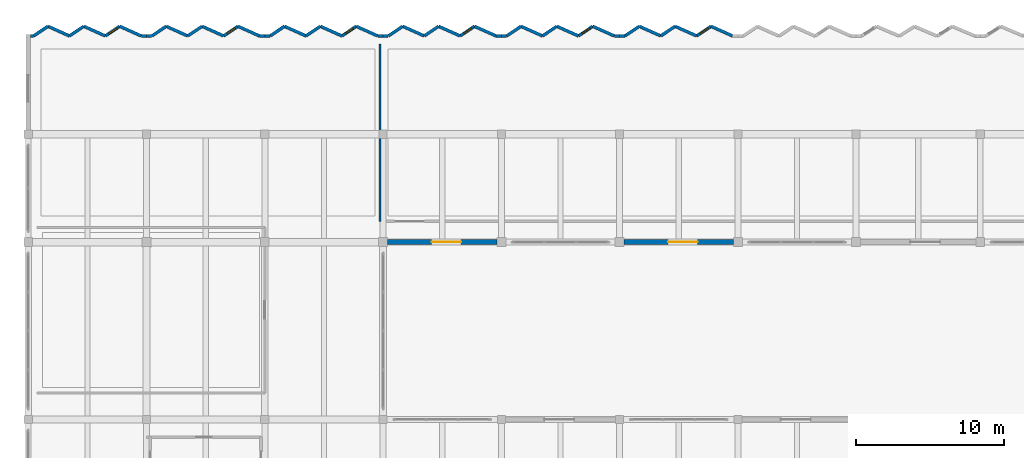
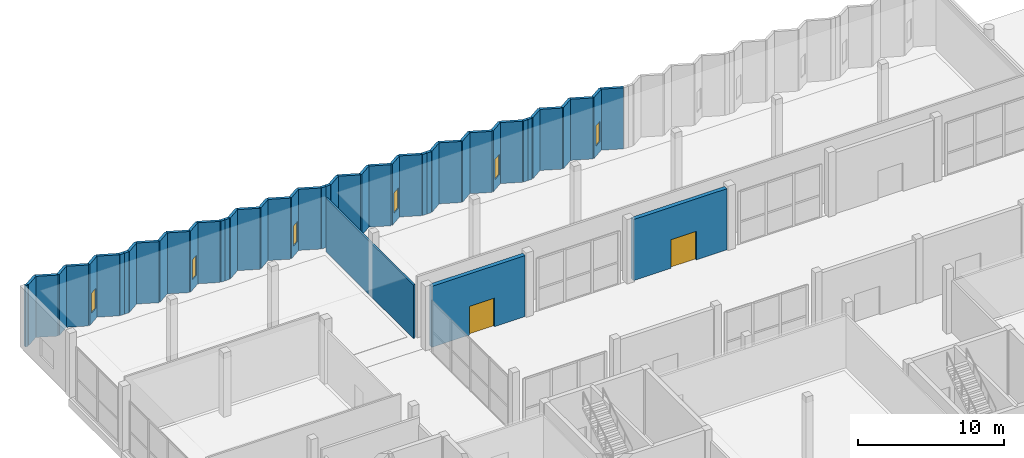
# One storey, part 27 of 41: 50 walls, 6 windows, 2 doors, 8 openings.
"""IFC4 building model written with IfcOpenShell, lengths in metres."""

import ifcopenshell
import ifcopenshell.guid

model = None  # the IFC model being written
_history = None  # IfcOwnerHistory: only IFC2X3 demands one
_inside = {}  # id of a spatial element -> (the spatial element, [elements in it])
_under = {}  # id of a project, library or spatial element -> (it, [spatial elements below it])
_declared = {}  # id of a project -> (the project, [libraries it declares])
_typed = {}  # id of a type object -> (the type object, [elements of that type])
_made_of = {}  # id of a material, layer set ... -> (it, [elements and type objects made of it])


def new_model(schema):
    """Start an empty IFC model of exactly this schema.

    Asked for "IFC4X3", IfcOpenShell would pick the latest addendum, in which some entities
    have other attributes; the version numbers below select the first issue.
    IFC2X3 requires an IfcOwnerHistory on every rooted entity: one is made here for all.
    """
    global model, _history
    if schema == "IFC4X3":
        model = ifcopenshell.file(schema_version=(4, 3, 0, 0))
    else:
        model = ifcopenshell.file(schema=schema)
    _inside.clear()
    _under.clear()
    _declared.clear()
    _typed.clear()
    _made_of.clear()
    _history = None
    if model.schema == "IFC2X3":
        org = make("IfcOrganization", Name="unknown")
        user = make(
            "IfcPersonAndOrganization",
            ThePerson=make("IfcPerson", FamilyName="unknown"),
            TheOrganization=org,
        )
        app = make(
            "IfcApplication",
            ApplicationDeveloper=org,
            Version="unknown",
            ApplicationFullName="unknown",
            ApplicationIdentifier="unknown",
        )
        _history = make(
            "IfcOwnerHistory",
            OwningUser=user,
            OwningApplication=app,
            ChangeAction="ADDED",
            CreationDate=0,
        )
    return model


def make(cls, **values):
    """One entity of the class cls with the attributes given. An attribute that is None is left unset."""
    return model.create_entity(
        cls, **{name: value for name, value in values.items() if value is not None}
    )


def rooted(cls, **values):
    """An entity with a GlobalId (a new one), such as an element, a storey or a relation."""
    return make(cls, GlobalId=ifcopenshell.guid.new(), OwnerHistory=_history, **values)


def si_unit(unit_type, name, prefix=None):
    """IfcSIUnit, for example si_unit("LENGTHUNIT", "METRE", prefix="MILLI")."""
    return make("IfcSIUnit", UnitType=unit_type, Prefix=prefix, Name=name)


def assignment(units):
    """IfcUnitAssignment: the units of a project."""
    return None if units is None else make("IfcUnitAssignment", Units=units)


def point(xyz):
    """IfcCartesianPoint."""
    return None if xyz is None else make("IfcCartesianPoint", Coordinates=xyz)


def direction(xyz):
    """IfcDirection."""
    return None if xyz is None else make("IfcDirection", DirectionRatios=xyz)


def frame(location, z_axis=None, x_axis=None):
    """IfcAxis2Placement3D, a coordinate frame: its origin and axes. An axis left out is left unset."""
    return make(
        "IfcAxis2Placement3D",
        Location=point(location),
        Axis=direction(z_axis),
        RefDirection=direction(x_axis),
    )


def frame_2d(location, x_axis=None):
    """IfcAxis2Placement2D, a coordinate frame in the plane: its origin and x axis."""
    return make(
        "IfcAxis2Placement2D", Location=point(location), RefDirection=direction(x_axis)
    )


def origin():
    """The frame at (0, 0, 0) with its axes left unset."""
    return frame((0.0, 0.0, 0.0))


def place(relative_to, where):
    """IfcLocalPlacement: puts the frame where relative to a parent placement (None: the world)."""
    return make(
        "IfcLocalPlacement", PlacementRelTo=relative_to, RelativePlacement=where
    )


def context(
    kind, dimensions, precision=None, world=None, true_north=None, identifier=None
):
    """IfcGeometricRepresentationContext, for example the 3D "Model" context."""
    return make(
        "IfcGeometricRepresentationContext",
        ContextIdentifier=identifier,
        ContextType=kind,
        CoordinateSpaceDimension=dimensions,
        Precision=precision,
        WorldCoordinateSystem=world,
        TrueNorth=true_north,
    )


def subcontext(parent, identifier, kind, view, scale=None):
    """IfcGeometricRepresentationSubContext, for example "Body" below "Model"."""
    return make(
        "IfcGeometricRepresentationSubContext",
        ContextIdentifier=identifier,
        ContextType=kind,
        ParentContext=parent,
        TargetScale=scale,
        TargetView=view,
    )


def project(units=None, contexts=None):
    """IfcProject with its units and contexts."""
    return rooted(
        "IfcProject",
        Name="project",
        RepresentationContexts=contexts,
        UnitsInContext=assignment(units),
    )


def spatial(cls, under=None, at=None, **own):
    """A site, building, storey or space (cls), placed at a placement, below another one or the project."""
    s = rooted(cls, ObjectPlacement=at, **own)
    if under is not None:
        _under.setdefault(under.id(), (under, []))[1].append(s)
    return s


def profile(cls, at=None, kind="AREA", **sizes):
    """A parametric profile (cls). Its sizes go by their IFC names, for example OverallWidth=200.0."""
    return make(cls, ProfileType=kind, Position=at, **sizes)


def rectangle(**sizes):
    """IfcRectangleProfileDef."""
    return profile("IfcRectangleProfileDef", **sizes)


def extrude(swept, where, along, depth):
    """IfcExtrudedAreaSolid: the profile swept, set in the frame where, extruded along a direction by depth."""
    return make(
        "IfcExtrudedAreaSolid",
        SweptArea=swept,
        Position=where,
        ExtrudedDirection=direction(along),
        Depth=depth,
    )


def shape(context_of_items, identifier, shape_type, items):
    """IfcShapeRepresentation: the items that make up one representation, for example the "Body"."""
    return make(
        "IfcShapeRepresentation",
        ContextOfItems=context_of_items,
        RepresentationIdentifier=identifier,
        RepresentationType=shape_type,
        Items=items,
    )


def material(Name=None, Category=None):
    """IfcMaterial."""
    return make("IfcMaterial", Name=Name, Category=Category)


def layer(
    of_material, thickness, ventilated=None, Name=None, Category=None, Priority=None
):
    """IfcMaterialLayer: one layer of a wall or slab, of a material (None: an air gap)."""
    return make(
        "IfcMaterialLayer",
        Material=of_material,
        LayerThickness=thickness,
        IsVentilated=ventilated,
        Name=Name,
        Category=Category,
        Priority=Priority,
    )


def layer_set(layers, Name=None):
    """IfcMaterialLayerSet."""
    return make("IfcMaterialLayerSet", MaterialLayers=layers, LayerSetName=Name)


def made_of(thing, what):
    """Note that an element or type object is made of a material, layer set ...; save() writes the relation."""
    if what is not None:
        _made_of.setdefault(what.id(), (what, []))[1].append(thing)
    return thing


def type_object(cls, material=None, **own):
    """A type object (cls), such as IfcWallType, which elements share."""
    return made_of(rooted(cls, **own), material)


def element(
    cls,
    number,
    at=None,
    inside=None,
    cuts=None,
    type_object=None,
    material=None,
    context=None,
    identifier="Body",
    shape_type=None,
    held_by="IfcProductDefinitionShape",
    body=None,
    shapes=None,
    **own,
):
    """One element of the class cls, such as IfcWall. Its Tag is "e" and its number.

    at: its placement. inside: the storey or other place that contains it. cuts: it is an
    opening in that element (IfcRelVoidsElement). A single representation is given by context,
    identifier, shape_type and body (its items); several are given by shapes. held_by: the class
    of the entity that holds the representations. save() writes the other relations.
    """
    e = rooted(cls, Tag="e%d" % number, ObjectPlacement=at, **own)
    if body is not None:
        shapes = [shape(context, identifier, shape_type, body)]
    if shapes is not None:
        e.Representation = make(held_by, Representations=shapes)
    if inside is not None:
        _inside.setdefault(inside.id(), (inside, []))[1].append(e)
    if cuts is not None:
        rooted(
            "IfcRelVoidsElement", RelatingBuildingElement=cuts, RelatedOpeningElement=e
        )
    if type_object is not None:
        _typed.setdefault(type_object.id(), (type_object, []))[1].append(e)
    return made_of(e, material)


def fill(opening, filler):
    """IfcRelFillsElement: the door or window that sits in an opening."""
    return rooted(
        "IfcRelFillsElement",
        RelatingOpeningElement=opening,
        RelatedBuildingElement=filler,
    )


def aggregate(whole, parts):
    """IfcRelAggregates: a whole, such as a stair, and the parts it consists of."""
    return rooted("IfcRelAggregates", RelatingObject=whole, RelatedObjects=parts)


def save(model, path):
    """Write the relations noted so far, then the file.

    IfcRelAggregates (storeys below a building ...), IfcRelContainedInSpatialStructure (elements
    in a storey), IfcRelDefinesByType, IfcRelAssociatesMaterial and IfcRelDeclares: one each for
    every whole, place, type object, material and project.
    """
    for whole, parts in _under.values():
        aggregate(whole, parts)
    for where, things in _inside.values():
        rooted(
            "IfcRelContainedInSpatialStructure",
            RelatedElements=things,
            RelatingStructure=where,
        )
    for kind, things in _typed.values():
        rooted("IfcRelDefinesByType", RelatedObjects=things, RelatingType=kind)
    for what, things in _made_of.values():
        rooted("IfcRelAssociatesMaterial", RelatedObjects=things, RelatingMaterial=what)
    for by, libraries in _declared.values():
        rooted("IfcRelDeclares", RelatingContext=by, RelatedDefinitions=libraries)
    model.write(path)


model = new_model("IFC4")

# Units and contexts
model_context = context("Model", 3, precision=1e-05, world=origin(), true_north=direction((0.0, 1.0)))
body_context = subcontext(model_context, "Body", "Model", "MODEL_VIEW")
ifc_project = project(units=[si_unit("LENGTHUNIT", "METRE"), si_unit("AREAUNIT", "SQUARE_METRE"), si_unit("VOLUMEUNIT", "CUBIC_METRE"), si_unit("PLANEANGLEUNIT", "RADIAN"), si_unit("MASSUNIT", "GRAM", prefix="KILO")], contexts=[model_context])

# Site, building, storey
site_placement = place(None, origin())
site = spatial("IfcSite", under=ifc_project, at=site_placement, CompositionType="ELEMENT")
building_placement = place(site_placement, origin())
building = spatial("IfcBuilding", under=site, at=building_placement, Name="Vharandega Faculty of Natural Sciences", CompositionType="ELEMENT")
storey_placement = place(building_placement, origin())
storey = spatial("IfcBuildingStorey", under=building, at=storey_placement, Name="L00", CompositionType="ELEMENT", Elevation=0.0)

# Walls
ifc_material_1 = material(Name="Precast concrete C40/50", Category="concrete")
ifc_layer_1 = layer(ifc_material_1, 0.2099609375, Name="Precast concrete C40/50")
ifc_layer_set_1 = layer_set([ifc_layer_1], Name="Precast concrete C40/50")
wall_type_1 = type_object("IfcWallType", Name="Commons Sawtooth Street Wall 210", PredefinedType="SOLIDWALL", material=ifc_layer_set_1)
wall_1_placement = place(storey_placement, frame((0.155029296875, 110.949951171875, 0.0), z_axis=(0.0, 0.0, 1.0), x_axis=(1.0, 0.0, 0.0)))
element("IfcWall", 1, at=wall_1_placement, inside=storey, type_object=wall_type_1, Name="Exterior Wall EW-V2SHL-L00-1L", PredefinedType="SOLIDWALL", context=body_context, shape_type="SweptSolid", body=[
    extrude(rectangle(XDim=0.195068359375, YDim=0.2099609375, at=frame_2d((0.09765625, 0.0))), origin(), (0.0, 0.0, 1.0), 5.1201171875),
])
for number, where, z_axis, x_axis, name in (
    (2, (7.64990234375, 110.949951171875, 0.0), (0.0, 0.0, 1.0), (1.0, 0.0, 0.0), "Exterior Wall EW-V2SHL-L00-2R"),
    (3, (8.0, 110.949951171875, 0.0), (0.0, 0.0, 1.0), (1.0, 0.0, 0.0), "Exterior Wall EW-V2SHL-L00-2L"),
    (4, (15.64990234375, 110.949951171875, 0.0), (0.0, 0.0, 1.0), (1.0, 0.0, 0.0), "Exterior Wall EW-V2SHL-L00-3R"),
    (5, (16.0, 110.949951171875, 0.0), (0.0, 0.0, 1.0), (1.0, 0.0, 0.0), "Exterior Wall EW-V2SHL-L00-3L"),
    (6, (23.64990234375, 110.949951171875, 0.0), (0.0, 0.0, 1.0), (1.0, 0.0, 0.0), "Exterior Wall EW-V2SHL-L00-4R"),
    (7, (24.0, 110.949951171875, 0.0), (0.0, 0.0, 1.0), (1.0, 0.0, 0.0), "Exterior Wall EW-V2SHL-L00-4L"),
    (8, (31.64990234375, 110.949951171875, 0.0), (0.0, 0.0, 1.0), (1.0, 0.0, 0.0), "Exterior Wall EW-V2SHL-L00-5R"),
    (9, (32.0, 110.949951171875, 0.0), (0.0, 0.0, 1.0), (1.0, 0.0, 0.0), "Exterior Wall EW-V2SHL-L00-5L"),
    (10, (39.64990234375, 110.949951171875, 0.0), (0.0, 0.0, 1.0), (1.0, 0.0, 0.0), "Exterior Wall EW-V2SHL-L00-6R"),
    (11, (40.0, 110.949951171875, 0.0), (0.0, 0.0, 1.0), (1.0, 0.0, 0.0), "Exterior Wall EW-V2SHL-L00-6L"),
):
    element("IfcWall", number, at=place(storey_placement, frame(where, z_axis=z_axis, x_axis=x_axis)), inside=storey, type_object=wall_type_1, Name=name, PredefinedType="SOLIDWALL", context=body_context, shape_type="SweptSolid", body=[
        extrude(rectangle(XDim=0.35009765625, YDim=0.2099609375, at=frame_2d((0.175048828125, 0.0))), origin(), (0.0, 0.0, 1.0), 5.1201171875),
    ])
wall_2_placement = place(storey_placement, frame((0.360107421875, 110.949951171875, 0.0), z_axis=(0.0, 0.0, 1.0), x_axis=(0.830858868059, 0.556483190553, 0.0)))
element("IfcWall", 12, at=wall_2_placement, inside=storey, type_object=wall_type_1, Name="Exterior Wall EW-V2SAW-L00-01G", PredefinedType="SOLIDWALL", context=body_context, shape_type="SweptSolid", body=[
    extrude(rectangle(XDim=1.168212890625, YDim=0.2099609375, at=frame_2d((0.583984375, 0.0))), origin(), (0.0, 0.0, 1.0), 5.1201171875),
])
wall_3_placement = place(storey_placement, frame((1.330810546875, 111.60009765625, 0.0), z_axis=(0.0, 0.0, 1.0), x_axis=(0.913083928543, -0.407771675618, 0.0)))
element("IfcWall", 13, at=wall_3_placement, inside=storey, type_object=wall_type_1, Name="Exterior Wall EW-V2SAW-L00-01S", PredefinedType="SOLIDWALL", context=body_context, shape_type="SweptSolid", body=[
    extrude(rectangle(XDim=1.594482421875, YDim=0.2099609375, at=frame_2d((0.79736328125, 0.0))), origin(), (0.0, 0.0, 1.0), 5.1201171875),
])
wall_4_placement = place(storey_placement, frame((2.78662109375, 110.949951171875, 0.0), z_axis=(0.0, 0.0, 1.0), x_axis=(0.830858868059, 0.556483190553, 0.0)))
element("IfcWall", 14, at=wall_4_placement, inside=storey, type_object=wall_type_1, Name="Exterior Wall EW-V2SAW-L00-02G", PredefinedType="SOLIDWALL", context=body_context, shape_type="SweptSolid", body=[
    extrude(rectangle(XDim=1.168212890625, YDim=0.2099609375, at=frame_2d((0.583984375, 0.0))), origin(), (0.0, 0.0, 1.0), 5.1201171875),
])
wall_5_placement = place(storey_placement, frame((3.75732421875, 111.60009765625, 0.0), z_axis=(0.0, 0.0, 1.0), x_axis=(0.913109384471, -0.407714669826, 0.0)))
element("IfcWall", 15, at=wall_5_placement, inside=storey, type_object=wall_type_1, Name="Exterior Wall EW-V2SAW-L00-02S", PredefinedType="SOLIDWALL", context=body_context, shape_type="SweptSolid", body=[
    extrude(rectangle(XDim=1.5947265625, YDim=0.2099609375, at=frame_2d((0.79736328125, 0.0))), origin(), (0.0, 0.0, 1.0), 5.1201171875),
])

# Wall, opening, window
wall_6_placement = place(storey_placement, frame((5.21337890625, 110.949951171875, 0.0), z_axis=(0.0, 0.0, 1.0), x_axis=(0.830858868059, 0.556483190553, 0.0)))
wall_6 = element("IfcWall", 16, at=wall_6_placement, inside=storey, type_object=wall_type_1, Name="Exterior Wall EW-V2SAW-L00-03G", PredefinedType="SOLIDWALL", context=body_context, shape_type="SweptSolid", body=[
    extrude(rectangle(XDim=1.168212890625, YDim=0.2099609375, at=frame_2d((0.583984375, 0.0))), origin(), (0.0, 0.0, 1.0), 5.1201171875),
])
opening_1_placement = place(wall_6_placement, frame((0.280029296875, 0.0, 0.85009765625)))
opening_1 = element("IfcOpeningElement", 17, at=opening_1_placement, cuts=wall_6, Name="Opening WN-07", PredefinedType="OPENING", context=body_context, shape_type="SweptSolid", body=[
    extrude(rectangle(XDim=0.64990234375, YDim=1.699951171875, at=frame_2d((0.324951171875, 0.85009765625))), frame((0.0, 0.114990234375, 0.0), z_axis=(0.0, -1.0, 0.0), x_axis=(1.0, 0.0, 0.0)), (0.0, 0.0, 1.0), 0.22998046875),
])
ifc_material_2 = material(Name="Double-glazed solar-control glass in thermally broken aluminium frame", Category="aluminium")
window_type = type_object("IfcWindowType", Name="WIN-COM-065x170", PartitioningType="SINGLE_PANEL", PredefinedType="WINDOW", material=ifc_material_2)
window_1_placement = place(opening_1_placement, origin())
window_1 = element("IfcWindow", 18, at=window_1_placement, inside=storey, type_object=window_type, Name="Window WIN-L00-0147", OverallHeight=1.699951171875, OverallWidth=0.64990234375, PartitioningType="SINGLE_PANEL", PredefinedType="WINDOW", context=body_context, shape_type="SweptSolid", body=[
    extrude(rectangle(XDim=0.64990234375, YDim=1.699951171875, at=frame_2d((0.324951171875, 0.85009765625))), frame((0.0, 0.030029296875, 0.0), z_axis=(0.0, -1.0, 0.0), x_axis=(1.0, 0.0, 0.0)), (0.0, 0.0, 1.0), 0.06005859375),
])
fill(opening_1, window_1)

# Walls
wall_7_placement = place(storey_placement, frame((6.18408203125, 111.60009765625, 0.0), z_axis=(0.0, 0.0, 1.0), x_axis=(0.913083928543, -0.407771675618, 0.0)))
element("IfcWall", 19, at=wall_7_placement, inside=storey, type_object=wall_type_1, Name="Exterior Wall EW-V2SAW-L00-03S", PredefinedType="SOLIDWALL", context=body_context, shape_type="SweptSolid", body=[
    extrude(rectangle(XDim=1.594482421875, YDim=0.2099609375, at=frame_2d((0.79736328125, 0.0))), origin(), (0.0, 0.0, 1.0), 5.1201171875),
])
wall_8_placement = place(storey_placement, frame((8.360107421875, 110.949951171875, 0.0), z_axis=(0.0, 0.0, 1.0), x_axis=(0.830858868059, 0.556483190553, 0.0)))
element("IfcWall", 20, at=wall_8_placement, inside=storey, type_object=wall_type_1, Name="Exterior Wall EW-V2SAW-L00-04G", PredefinedType="SOLIDWALL", context=body_context, shape_type="SweptSolid", body=[
    extrude(rectangle(XDim=1.168212890625, YDim=0.2099609375, at=frame_2d((0.583984375, 0.0))), origin(), (0.0, 0.0, 1.0), 5.1201171875),
])
wall_9_placement = place(storey_placement, frame((9.330810546875, 111.60009765625, 0.0), z_axis=(0.0, 0.0, 1.0), x_axis=(0.913083928543, -0.407771675618, 0.0)))
element("IfcWall", 21, at=wall_9_placement, inside=storey, type_object=wall_type_1, Name="Exterior Wall EW-V2SAW-L00-04S", PredefinedType="SOLIDWALL", context=body_context, shape_type="SweptSolid", body=[
    extrude(rectangle(XDim=1.594482421875, YDim=0.2099609375, at=frame_2d((0.79736328125, 0.0))), origin(), (0.0, 0.0, 1.0), 5.1201171875),
])
wall_10_placement = place(storey_placement, frame((10.78662109375, 110.949951171875, 0.0), z_axis=(0.0, 0.0, 1.0), x_axis=(0.830858868059, 0.556483190553, 0.0)))
element("IfcWall", 22, at=wall_10_placement, inside=storey, type_object=wall_type_1, Name="Exterior Wall EW-V2SAW-L00-05G", PredefinedType="SOLIDWALL", context=body_context, shape_type="SweptSolid", body=[
    extrude(rectangle(XDim=1.168212890625, YDim=0.2099609375, at=frame_2d((0.583984375, 0.0))), origin(), (0.0, 0.0, 1.0), 5.1201171875),
])
wall_11_placement = place(storey_placement, frame((11.75732421875, 111.60009765625, 0.0), z_axis=(0.0, 0.0, 1.0), x_axis=(0.913109384471, -0.407714669826, 0.0)))
element("IfcWall", 23, at=wall_11_placement, inside=storey, type_object=wall_type_1, Name="Exterior Wall EW-V2SAW-L00-05S", PredefinedType="SOLIDWALL", context=body_context, shape_type="SweptSolid", body=[
    extrude(rectangle(XDim=1.5947265625, YDim=0.2099609375, at=frame_2d((0.79736328125, 0.0))), origin(), (0.0, 0.0, 1.0), 5.1201171875),
])

# Wall, opening, window
wall_12_placement = place(storey_placement, frame((13.21337890625, 110.949951171875, 0.0), z_axis=(0.0, 0.0, 1.0), x_axis=(0.830858868059, 0.556483190553, 0.0)))
wall_12 = element("IfcWall", 24, at=wall_12_placement, inside=storey, type_object=wall_type_1, Name="Exterior Wall EW-V2SAW-L00-06G", PredefinedType="SOLIDWALL", context=body_context, shape_type="SweptSolid", body=[
    extrude(rectangle(XDim=1.168212890625, YDim=0.2099609375, at=frame_2d((0.583984375, 0.0))), origin(), (0.0, 0.0, 1.0), 5.1201171875),
])
opening_2_placement = place(wall_12_placement, frame((0.280029296875, 0.0, 0.85009765625)))
opening_2 = element("IfcOpeningElement", 25, at=opening_2_placement, cuts=wall_12, Name="Opening WN-07", PredefinedType="OPENING", context=body_context, shape_type="SweptSolid", body=[
    extrude(rectangle(XDim=0.64990234375, YDim=1.699951171875, at=frame_2d((0.324951171875, 0.85009765625))), frame((0.0, 0.114990234375, 0.0), z_axis=(0.0, -1.0, 0.0), x_axis=(1.0, 0.0, 0.0)), (0.0, 0.0, 1.0), 0.22998046875),
])
window_2_placement = place(opening_2_placement, origin())
window_2 = element("IfcWindow", 26, at=window_2_placement, inside=storey, type_object=window_type, Name="Window WIN-L00-0148", OverallHeight=1.699951171875, OverallWidth=0.64990234375, PartitioningType="SINGLE_PANEL", PredefinedType="WINDOW", context=body_context, shape_type="SweptSolid", body=[
    extrude(rectangle(XDim=0.64990234375, YDim=1.699951171875, at=frame_2d((0.324951171875, 0.85009765625))), frame((0.0, 0.030029296875, 0.0), z_axis=(0.0, -1.0, 0.0), x_axis=(1.0, 0.0, 0.0)), (0.0, 0.0, 1.0), 0.06005859375),
])
fill(opening_2, window_2)

# Walls
wall_13_placement = place(storey_placement, frame((14.18408203125, 111.60009765625, 0.0), z_axis=(0.0, 0.0, 1.0), x_axis=(0.913083928543, -0.407771675618, 0.0)))
element("IfcWall", 27, at=wall_13_placement, inside=storey, type_object=wall_type_1, Name="Exterior Wall EW-V2SAW-L00-06S", PredefinedType="SOLIDWALL", context=body_context, shape_type="SweptSolid", body=[
    extrude(rectangle(XDim=1.594482421875, YDim=0.2099609375, at=frame_2d((0.79736328125, 0.0))), origin(), (0.0, 0.0, 1.0), 5.1201171875),
])
wall_14_placement = place(storey_placement, frame((16.360107421875, 110.949951171875, 0.0), z_axis=(0.0, 0.0, 1.0), x_axis=(0.830858868059, 0.556483190553, 0.0)))
element("IfcWall", 28, at=wall_14_placement, inside=storey, type_object=wall_type_1, Name="Exterior Wall EW-V2SAW-L00-07G", PredefinedType="SOLIDWALL", context=body_context, shape_type="SweptSolid", body=[
    extrude(rectangle(XDim=1.168212890625, YDim=0.2099609375, at=frame_2d((0.583984375, 0.0))), origin(), (0.0, 0.0, 1.0), 5.1201171875),
])
wall_15_placement = place(storey_placement, frame((17.330810546875, 111.60009765625, 0.0), z_axis=(0.0, 0.0, 1.0), x_axis=(0.913083928543, -0.407771675618, 0.0)))
element("IfcWall", 29, at=wall_15_placement, inside=storey, type_object=wall_type_1, Name="Exterior Wall EW-V2SAW-L00-07S", PredefinedType="SOLIDWALL", context=body_context, shape_type="SweptSolid", body=[
    extrude(rectangle(XDim=1.594482421875, YDim=0.2099609375, at=frame_2d((0.79736328125, 0.0))), origin(), (0.0, 0.0, 1.0), 5.1201171875),
])
wall_16_placement = place(storey_placement, frame((18.78662109375, 110.949951171875, 0.0), z_axis=(0.0, 0.0, 1.0), x_axis=(0.830858868059, 0.556483190553, 0.0)))
element("IfcWall", 30, at=wall_16_placement, inside=storey, type_object=wall_type_1, Name="Exterior Wall EW-V2SAW-L00-08G", PredefinedType="SOLIDWALL", context=body_context, shape_type="SweptSolid", body=[
    extrude(rectangle(XDim=1.168212890625, YDim=0.2099609375, at=frame_2d((0.583984375, 0.0))), origin(), (0.0, 0.0, 1.0), 5.1201171875),
])
wall_17_placement = place(storey_placement, frame((19.75732421875, 111.60009765625, 0.0), z_axis=(0.0, 0.0, 1.0), x_axis=(0.913109384471, -0.407714669826, 0.0)))
element("IfcWall", 31, at=wall_17_placement, inside=storey, type_object=wall_type_1, Name="Exterior Wall EW-V2SAW-L00-08S", PredefinedType="SOLIDWALL", context=body_context, shape_type="SweptSolid", body=[
    extrude(rectangle(XDim=1.5947265625, YDim=0.2099609375, at=frame_2d((0.79736328125, 0.0))), origin(), (0.0, 0.0, 1.0), 5.1201171875),
])

# Wall, opening, window
wall_18_placement = place(storey_placement, frame((21.21337890625, 110.949951171875, 0.0), z_axis=(0.0, 0.0, 1.0), x_axis=(0.830858868059, 0.556483190553, 0.0)))
wall_18 = element("IfcWall", 32, at=wall_18_placement, inside=storey, type_object=wall_type_1, Name="Exterior Wall EW-V2SAW-L00-09G", PredefinedType="SOLIDWALL", context=body_context, shape_type="SweptSolid", body=[
    extrude(rectangle(XDim=1.168212890625, YDim=0.2099609375, at=frame_2d((0.583984375, 0.0))), origin(), (0.0, 0.0, 1.0), 5.1201171875),
])
opening_3_placement = place(wall_18_placement, frame((0.280029296875, 0.0, 0.85009765625)))
opening_3 = element("IfcOpeningElement", 33, at=opening_3_placement, cuts=wall_18, Name="Opening WN-07", PredefinedType="OPENING", context=body_context, shape_type="SweptSolid", body=[
    extrude(rectangle(XDim=0.64990234375, YDim=1.699951171875, at=frame_2d((0.324951171875, 0.85009765625))), frame((0.0, 0.114990234375, 0.0), z_axis=(0.0, -1.0, 0.0), x_axis=(1.0, 0.0, 0.0)), (0.0, 0.0, 1.0), 0.22998046875),
])
window_3_placement = place(opening_3_placement, origin())
window_3 = element("IfcWindow", 34, at=window_3_placement, inside=storey, type_object=window_type, Name="Window WIN-L00-0149", OverallHeight=1.699951171875, OverallWidth=0.64990234375, PartitioningType="SINGLE_PANEL", PredefinedType="WINDOW", context=body_context, shape_type="SweptSolid", body=[
    extrude(rectangle(XDim=0.64990234375, YDim=1.699951171875, at=frame_2d((0.324951171875, 0.85009765625))), frame((0.0, 0.030029296875, 0.0), z_axis=(0.0, -1.0, 0.0), x_axis=(1.0, 0.0, 0.0)), (0.0, 0.0, 1.0), 0.06005859375),
])
fill(opening_3, window_3)

# Walls
wall_19_placement = place(storey_placement, frame((22.18408203125, 111.60009765625, 0.0), z_axis=(0.0, 0.0, 1.0), x_axis=(0.913083928543, -0.407771675618, 0.0)))
element("IfcWall", 35, at=wall_19_placement, inside=storey, type_object=wall_type_1, Name="Exterior Wall EW-V2SAW-L00-09S", PredefinedType="SOLIDWALL", context=body_context, shape_type="SweptSolid", body=[
    extrude(rectangle(XDim=1.594482421875, YDim=0.2099609375, at=frame_2d((0.79736328125, 0.0))), origin(), (0.0, 0.0, 1.0), 5.1201171875),
])
wall_20_placement = place(storey_placement, frame((24.360107421875, 110.949951171875, 0.0), z_axis=(0.0, 0.0, 1.0), x_axis=(0.830858868059, 0.556483190553, 0.0)))
element("IfcWall", 36, at=wall_20_placement, inside=storey, type_object=wall_type_1, Name="Exterior Wall EW-V2SAW-L00-10G", PredefinedType="SOLIDWALL", context=body_context, shape_type="SweptSolid", body=[
    extrude(rectangle(XDim=1.168212890625, YDim=0.2099609375, at=frame_2d((0.583984375, 0.0))), origin(), (0.0, 0.0, 1.0), 5.1201171875),
])
wall_21_placement = place(storey_placement, frame((25.330810546875, 111.60009765625, 0.0), z_axis=(0.0, 0.0, 1.0), x_axis=(0.913083928543, -0.407771675618, 0.0)))
element("IfcWall", 37, at=wall_21_placement, inside=storey, type_object=wall_type_1, Name="Exterior Wall EW-V2SAW-L00-10S", PredefinedType="SOLIDWALL", context=body_context, shape_type="SweptSolid", body=[
    extrude(rectangle(XDim=1.594482421875, YDim=0.2099609375, at=frame_2d((0.79736328125, 0.0))), origin(), (0.0, 0.0, 1.0), 5.1201171875),
])
wall_22_placement = place(storey_placement, frame((26.78662109375, 110.949951171875, 0.0), z_axis=(0.0, 0.0, 1.0), x_axis=(0.830858868059, 0.556483190553, 0.0)))
element("IfcWall", 38, at=wall_22_placement, inside=storey, type_object=wall_type_1, Name="Exterior Wall EW-V2SAW-L00-11G", PredefinedType="SOLIDWALL", context=body_context, shape_type="SweptSolid", body=[
    extrude(rectangle(XDim=1.168212890625, YDim=0.2099609375, at=frame_2d((0.583984375, 0.0))), origin(), (0.0, 0.0, 1.0), 5.1201171875),
])
wall_23_placement = place(storey_placement, frame((27.75732421875, 111.60009765625, 0.0), z_axis=(0.0, 0.0, 1.0), x_axis=(0.913109384471, -0.407714669826, 0.0)))
element("IfcWall", 39, at=wall_23_placement, inside=storey, type_object=wall_type_1, Name="Exterior Wall EW-V2SAW-L00-11S", PredefinedType="SOLIDWALL", context=body_context, shape_type="SweptSolid", body=[
    extrude(rectangle(XDim=1.5947265625, YDim=0.2099609375, at=frame_2d((0.79736328125, 0.0))), origin(), (0.0, 0.0, 1.0), 5.1201171875),
])

# Wall, opening, window
wall_24_placement = place(storey_placement, frame((29.21337890625, 110.949951171875, 0.0), z_axis=(0.0, 0.0, 1.0), x_axis=(0.830858868059, 0.556483190553, 0.0)))
wall_24 = element("IfcWall", 40, at=wall_24_placement, inside=storey, type_object=wall_type_1, Name="Exterior Wall EW-V2SAW-L00-12G", PredefinedType="SOLIDWALL", context=body_context, shape_type="SweptSolid", body=[
    extrude(rectangle(XDim=1.168212890625, YDim=0.2099609375, at=frame_2d((0.583984375, 0.0))), origin(), (0.0, 0.0, 1.0), 5.1201171875),
])
opening_4_placement = place(wall_24_placement, frame((0.280029296875, 0.0, 0.85009765625)))
opening_4 = element("IfcOpeningElement", 41, at=opening_4_placement, cuts=wall_24, Name="Opening WN-07", PredefinedType="OPENING", context=body_context, shape_type="SweptSolid", body=[
    extrude(rectangle(XDim=0.64990234375, YDim=1.699951171875, at=frame_2d((0.324951171875, 0.85009765625))), frame((0.0, 0.114990234375, 0.0), z_axis=(0.0, -1.0, 0.0), x_axis=(1.0, 0.0, 0.0)), (0.0, 0.0, 1.0), 0.22998046875),
])
window_4_placement = place(opening_4_placement, origin())
window_4 = element("IfcWindow", 42, at=window_4_placement, inside=storey, type_object=window_type, Name="Window WIN-L00-0150", OverallHeight=1.699951171875, OverallWidth=0.64990234375, PartitioningType="SINGLE_PANEL", PredefinedType="WINDOW", context=body_context, shape_type="SweptSolid", body=[
    extrude(rectangle(XDim=0.64990234375, YDim=1.699951171875, at=frame_2d((0.324951171875, 0.85009765625))), frame((0.0, 0.030029296875, 0.0), z_axis=(0.0, -1.0, 0.0), x_axis=(1.0, 0.0, 0.0)), (0.0, 0.0, 1.0), 0.06005859375),
])
fill(opening_4, window_4)

# Walls
wall_25_placement = place(storey_placement, frame((30.18408203125, 111.60009765625, 0.0), z_axis=(0.0, 0.0, 1.0), x_axis=(0.913083928543, -0.407771675618, 0.0)))
element("IfcWall", 43, at=wall_25_placement, inside=storey, type_object=wall_type_1, Name="Exterior Wall EW-V2SAW-L00-12S", PredefinedType="SOLIDWALL", context=body_context, shape_type="SweptSolid", body=[
    extrude(rectangle(XDim=1.594482421875, YDim=0.2099609375, at=frame_2d((0.79736328125, 0.0))), origin(), (0.0, 0.0, 1.0), 5.1201171875),
])
wall_26_placement = place(storey_placement, frame((32.360107421875, 110.949951171875, 0.0), z_axis=(0.0, 0.0, 1.0), x_axis=(0.830858868059, 0.556483190553, 0.0)))
element("IfcWall", 44, at=wall_26_placement, inside=storey, type_object=wall_type_1, Name="Exterior Wall EW-V2SAW-L00-13G", PredefinedType="SOLIDWALL", context=body_context, shape_type="SweptSolid", body=[
    extrude(rectangle(XDim=1.168212890625, YDim=0.2099609375, at=frame_2d((0.583984375, 0.0))), origin(), (0.0, 0.0, 1.0), 5.1201171875),
])
wall_27_placement = place(storey_placement, frame((33.330810546875, 111.60009765625, 0.0), z_axis=(0.0, 0.0, 1.0), x_axis=(0.913083928543, -0.407771675618, 0.0)))
element("IfcWall", 45, at=wall_27_placement, inside=storey, type_object=wall_type_1, Name="Exterior Wall EW-V2SAW-L00-13S", PredefinedType="SOLIDWALL", context=body_context, shape_type="SweptSolid", body=[
    extrude(rectangle(XDim=1.594482421875, YDim=0.2099609375, at=frame_2d((0.79736328125, 0.0))), origin(), (0.0, 0.0, 1.0), 5.1201171875),
])
wall_28_placement = place(storey_placement, frame((34.78662109375, 110.949951171875, 0.0), z_axis=(0.0, 0.0, 1.0), x_axis=(0.830858868059, 0.556483190553, 0.0)))
element("IfcWall", 46, at=wall_28_placement, inside=storey, type_object=wall_type_1, Name="Exterior Wall EW-V2SAW-L00-14G", PredefinedType="SOLIDWALL", context=body_context, shape_type="SweptSolid", body=[
    extrude(rectangle(XDim=1.168212890625, YDim=0.2099609375, at=frame_2d((0.583984375, 0.0))), origin(), (0.0, 0.0, 1.0), 5.1201171875),
])
wall_29_placement = place(storey_placement, frame((35.75732421875, 111.60009765625, 0.0), z_axis=(0.0, 0.0, 1.0), x_axis=(0.913109384471, -0.407714669826, 0.0)))
element("IfcWall", 47, at=wall_29_placement, inside=storey, type_object=wall_type_1, Name="Exterior Wall EW-V2SAW-L00-14S", PredefinedType="SOLIDWALL", context=body_context, shape_type="SweptSolid", body=[
    extrude(rectangle(XDim=1.5947265625, YDim=0.2099609375, at=frame_2d((0.79736328125, 0.0))), origin(), (0.0, 0.0, 1.0), 5.1201171875),
])

# Wall, opening, window
wall_30_placement = place(storey_placement, frame((37.21337890625, 110.949951171875, 0.0), z_axis=(0.0, 0.0, 1.0), x_axis=(0.830858868059, 0.556483190553, 0.0)))
wall_30 = element("IfcWall", 48, at=wall_30_placement, inside=storey, type_object=wall_type_1, Name="Exterior Wall EW-V2SAW-L00-15G", PredefinedType="SOLIDWALL", context=body_context, shape_type="SweptSolid", body=[
    extrude(rectangle(XDim=1.168212890625, YDim=0.2099609375, at=frame_2d((0.583984375, 0.0))), origin(), (0.0, 0.0, 1.0), 5.1201171875),
])
opening_5_placement = place(wall_30_placement, frame((0.280029296875, 0.0, 0.85009765625)))
opening_5 = element("IfcOpeningElement", 49, at=opening_5_placement, cuts=wall_30, Name="Opening WN-07", PredefinedType="OPENING", context=body_context, shape_type="SweptSolid", body=[
    extrude(rectangle(XDim=0.64990234375, YDim=1.699951171875, at=frame_2d((0.324951171875, 0.85009765625))), frame((0.0, 0.114990234375, 0.0), z_axis=(0.0, -1.0, 0.0), x_axis=(1.0, 0.0, 0.0)), (0.0, 0.0, 1.0), 0.22998046875),
])
window_5_placement = place(opening_5_placement, origin())
window_5 = element("IfcWindow", 50, at=window_5_placement, inside=storey, type_object=window_type, Name="Window WIN-L00-0151", OverallHeight=1.699951171875, OverallWidth=0.64990234375, PartitioningType="SINGLE_PANEL", PredefinedType="WINDOW", context=body_context, shape_type="SweptSolid", body=[
    extrude(rectangle(XDim=0.64990234375, YDim=1.699951171875, at=frame_2d((0.324951171875, 0.85009765625))), frame((0.0, 0.030029296875, 0.0), z_axis=(0.0, -1.0, 0.0), x_axis=(1.0, 0.0, 0.0)), (0.0, 0.0, 1.0), 0.06005859375),
])
fill(opening_5, window_5)

# Walls
wall_31_placement = place(storey_placement, frame((38.18408203125, 111.60009765625, 0.0), z_axis=(0.0, 0.0, 1.0), x_axis=(0.913083928543, -0.407771675618, 0.0)))
element("IfcWall", 51, at=wall_31_placement, inside=storey, type_object=wall_type_1, Name="Exterior Wall EW-V2SAW-L00-15S", PredefinedType="SOLIDWALL", context=body_context, shape_type="SweptSolid", body=[
    extrude(rectangle(XDim=1.594482421875, YDim=0.2099609375, at=frame_2d((0.79736328125, 0.0))), origin(), (0.0, 0.0, 1.0), 5.1201171875),
])
wall_32_placement = place(storey_placement, frame((40.360107421875, 110.949951171875, 0.0), z_axis=(0.0, 0.0, 1.0), x_axis=(0.830858868059, 0.556483190553, 0.0)))
element("IfcWall", 52, at=wall_32_placement, inside=storey, type_object=wall_type_1, Name="Exterior Wall EW-V2SAW-L00-16G", PredefinedType="SOLIDWALL", context=body_context, shape_type="SweptSolid", body=[
    extrude(rectangle(XDim=1.168212890625, YDim=0.2099609375, at=frame_2d((0.583984375, 0.0))), origin(), (0.0, 0.0, 1.0), 5.1201171875),
])
wall_33_placement = place(storey_placement, frame((41.330810546875, 111.60009765625, 0.0), z_axis=(0.0, 0.0, 1.0), x_axis=(0.913083928543, -0.407771675618, 0.0)))
element("IfcWall", 53, at=wall_33_placement, inside=storey, type_object=wall_type_1, Name="Exterior Wall EW-V2SAW-L00-16S", PredefinedType="SOLIDWALL", context=body_context, shape_type="SweptSolid", body=[
    extrude(rectangle(XDim=1.594482421875, YDim=0.2099609375, at=frame_2d((0.79736328125, 0.0))), origin(), (0.0, 0.0, 1.0), 5.1201171875),
])
wall_34_placement = place(storey_placement, frame((42.78662109375, 110.949951171875, 0.0), z_axis=(0.0, 0.0, 1.0), x_axis=(0.830858868059, 0.556483190553, 0.0)))
element("IfcWall", 54, at=wall_34_placement, inside=storey, type_object=wall_type_1, Name="Exterior Wall EW-V2SAW-L00-17G", PredefinedType="SOLIDWALL", context=body_context, shape_type="SweptSolid", body=[
    extrude(rectangle(XDim=1.168212890625, YDim=0.2099609375, at=frame_2d((0.583984375, 0.0))), origin(), (0.0, 0.0, 1.0), 5.1201171875),
])
wall_35_placement = place(storey_placement, frame((43.75732421875, 111.60009765625, 0.0), z_axis=(0.0, 0.0, 1.0), x_axis=(0.913109384471, -0.407714669826, 0.0)))
element("IfcWall", 55, at=wall_35_placement, inside=storey, type_object=wall_type_1, Name="Exterior Wall EW-V2SAW-L00-17S", PredefinedType="SOLIDWALL", context=body_context, shape_type="SweptSolid", body=[
    extrude(rectangle(XDim=1.5947265625, YDim=0.2099609375, at=frame_2d((0.79736328125, 0.0))), origin(), (0.0, 0.0, 1.0), 5.1201171875),
])

# Wall, opening, window
wall_36_placement = place(storey_placement, frame((45.21337890625, 110.949951171875, 0.0), z_axis=(0.0, 0.0, 1.0), x_axis=(0.830858868059, 0.556483190553, 0.0)))
wall_36 = element("IfcWall", 56, at=wall_36_placement, inside=storey, type_object=wall_type_1, Name="Exterior Wall EW-V2SAW-L00-18G", PredefinedType="SOLIDWALL", context=body_context, shape_type="SweptSolid", body=[
    extrude(rectangle(XDim=1.168212890625, YDim=0.2099609375, at=frame_2d((0.583984375, 0.0))), origin(), (0.0, 0.0, 1.0), 5.1201171875),
])
opening_6_placement = place(wall_36_placement, frame((0.280029296875, 0.0, 0.85009765625)))
opening_6 = element("IfcOpeningElement", 57, at=opening_6_placement, cuts=wall_36, Name="Opening WN-07", PredefinedType="OPENING", context=body_context, shape_type="SweptSolid", body=[
    extrude(rectangle(XDim=0.64990234375, YDim=1.699951171875, at=frame_2d((0.324951171875, 0.85009765625))), frame((0.0, 0.114990234375, 0.0), z_axis=(0.0, -1.0, 0.0), x_axis=(1.0, 0.0, 0.0)), (0.0, 0.0, 1.0), 0.22998046875),
])
window_6_placement = place(opening_6_placement, origin())
window_6 = element("IfcWindow", 58, at=window_6_placement, inside=storey, type_object=window_type, Name="Window WIN-L00-0152", OverallHeight=1.699951171875, OverallWidth=0.64990234375, PartitioningType="SINGLE_PANEL", PredefinedType="WINDOW", context=body_context, shape_type="SweptSolid", body=[
    extrude(rectangle(XDim=0.64990234375, YDim=1.699951171875, at=frame_2d((0.324951171875, 0.85009765625))), frame((0.0, 0.030029296875, 0.0), z_axis=(0.0, -1.0, 0.0), x_axis=(1.0, 0.0, 0.0)), (0.0, 0.0, 1.0), 0.06005859375),
])
fill(opening_6, window_6)

# Wall
wall_37_placement = place(storey_placement, frame((46.18408203125, 111.60009765625, 0.0), z_axis=(0.0, 0.0, 1.0), x_axis=(0.913083928543, -0.407771675618, 0.0)))
element("IfcWall", 59, at=wall_37_placement, inside=storey, type_object=wall_type_1, Name="Exterior Wall EW-V2SAW-L00-18S", PredefinedType="SOLIDWALL", context=body_context, shape_type="SweptSolid", body=[
    extrude(rectangle(XDim=1.594482421875, YDim=0.2099609375, at=frame_2d((0.79736328125, 0.0))), origin(), (0.0, 0.0, 1.0), 5.1201171875),
])

# Wall, opening, door
ifc_material_3 = material(Name="Granite ashlar masonry 25 MPa", Category="masonry")
ifc_layer_2 = layer(ifc_material_3, 0.320068359375, Name="Granite ashlar masonry 25 MPa")
ifc_layer_set_2 = layer_set([ifc_layer_2], Name="Granite ashlar masonry 25 MPa")
wall_type_2 = type_object("IfcWallType", Name="Harare Granite Plinth Wall 320", PredefinedType="SOLIDWALL", material=ifc_layer_set_2)
wall_38_placement = place(storey_placement, frame((31.701904296875, 97.0, 0.0), z_axis=(0.0, 0.0, 1.0), x_axis=(-1.0, 0.0, 0.0)))
wall_38 = element("IfcWall", 60, at=wall_38_placement, inside=storey, type_object=wall_type_2, Name="Exterior Wall EW-L00-V2CRT-1", PredefinedType="SOLIDWALL", context=body_context, shape_type="SweptSolid", body=[
    extrude(rectangle(XDim=7.40380859375, YDim=0.320068359375, at=frame_2d((3.701904296875, 0.0))), origin(), (0.0, 0.0, 1.0), 5.1201171875),
])
opening_7_placement = place(wall_38_placement, frame((2.422119140625, 0.0, 0.0)))
opening_7 = element("IfcOpeningElement", 61, at=opening_7_placement, cuts=wall_38, Name="Opening ED-V2C1", PredefinedType="OPENING", context=body_context, shape_type="SweptSolid", body=[
    extrude(rectangle(XDim=2.0, YDim=2.39990234375, at=frame_2d((1.0, 1.199951171875))), frame((0.0, 0.169921875, 0.0), z_axis=(0.0, -1.0, 0.0), x_axis=(1.0, 0.0, 0.0)), (0.0, 0.0, 1.0), 0.340087890625),
])
ifc_material_4 = material(Name="Thermally broken glazed aluminium door", Category="aluminium")
door_type = type_object("IfcDoorType", Name="EXT-ENTRY-DBL-2000x2400", OperationType="DOUBLE_DOOR_SINGLE_SWING", PredefinedType="DOOR", material=ifc_material_4)
door_1_placement = place(opening_7_placement, origin())
door_1 = element("IfcDoor", 62, at=door_1_placement, inside=storey, type_object=door_type, Name="Courtyard Commons Exit 1 ED-V2C1", OperationType="DOUBLE_DOOR_SINGLE_SWING", OverallHeight=2.39990234375, OverallWidth=2.0, PredefinedType="DOOR", context=body_context, shape_type="SweptSolid", body=[
    extrude(rectangle(XDim=2.0, YDim=2.39990234375, at=frame_2d((1.0, 1.199951171875))), frame((0.0, 0.02490234375, 0.0), z_axis=(0.0, -1.0, 0.0), x_axis=(1.0, 0.0, 0.0)), (0.0, 0.0, 1.0), 0.050048828125),
])
fill(opening_7, door_1)

wall_39_placement = place(storey_placement, frame((47.701904296875, 97.0, 0.0), z_axis=(0.0, 0.0, 1.0), x_axis=(-1.0, 0.0, 0.0)))
wall_39 = element("IfcWall", 63, at=wall_39_placement, inside=storey, type_object=wall_type_2, Name="Exterior Wall EW-L00-V2CRT-3", PredefinedType="SOLIDWALL", context=body_context, shape_type="SweptSolid", body=[
    extrude(rectangle(XDim=7.40380859375, YDim=0.320068359375, at=frame_2d((3.701904296875, 0.0))), origin(), (0.0, 0.0, 1.0), 5.1201171875),
])
opening_8_placement = place(wall_39_placement, frame((2.422119140625, 0.0, 0.0)))
opening_8 = element("IfcOpeningElement", 64, at=opening_8_placement, cuts=wall_39, Name="Opening ED-V2C3", PredefinedType="OPENING", context=body_context, shape_type="SweptSolid", body=[
    extrude(rectangle(XDim=2.0, YDim=2.39990234375, at=frame_2d((1.0, 1.199951171875))), frame((0.0, 0.169921875, 0.0), z_axis=(0.0, -1.0, 0.0), x_axis=(1.0, 0.0, 0.0)), (0.0, 0.0, 1.0), 0.340087890625),
])
door_2_placement = place(opening_8_placement, origin())
door_2 = element("IfcDoor", 65, at=door_2_placement, inside=storey, type_object=door_type, Name="Courtyard Commons Exit 3 ED-V2C3", OperationType="DOUBLE_DOOR_SINGLE_SWING", OverallHeight=2.39990234375, OverallWidth=2.0, PredefinedType="DOOR", context=body_context, shape_type="SweptSolid", body=[
    extrude(rectangle(XDim=2.0, YDim=2.39990234375, at=frame_2d((1.0, 1.199951171875))), frame((0.0, 0.02490234375, 0.0), z_axis=(0.0, -1.0, 0.0), x_axis=(1.0, 0.0, 0.0)), (0.0, 0.0, 1.0), 0.050048828125),
])
fill(opening_8, door_2)

# Wall
ifc_material_5 = material(Name="Gypsum acoustic partition", Category="gypsum")
ifc_layer_3 = layer(ifc_material_5, 0.139892578125, Name="Gypsum acoustic partition")
ifc_layer_set_3 = layer_set([ifc_layer_3], Name="Gypsum acoustic partition")
wall_type_3 = type_object("IfcWallType", Name="Room Partition Wall 140", PredefinedType="PARTITIONING", material=ifc_layer_set_3)
wall_40_placement = place(storey_placement, frame((23.800048828125, 98.39990234375, 0.0), z_axis=(0.0, 0.0, 1.0), x_axis=(0.0, 1.0, 0.0)))
element("IfcWall", 66, at=wall_40_placement, inside=storey, type_object=wall_type_3, Name="Interior Wall PW-L00-R11E", PredefinedType="PARTITIONING", context=body_context, shape_type="SweptSolid", body=[
    extrude(rectangle(XDim=12.0, YDim=0.139892578125, at=frame_2d((6.0, 0.0))), origin(), (0.0, 0.0, 1.0), 4.489990234375),
])

save(model, "model.ifc")
